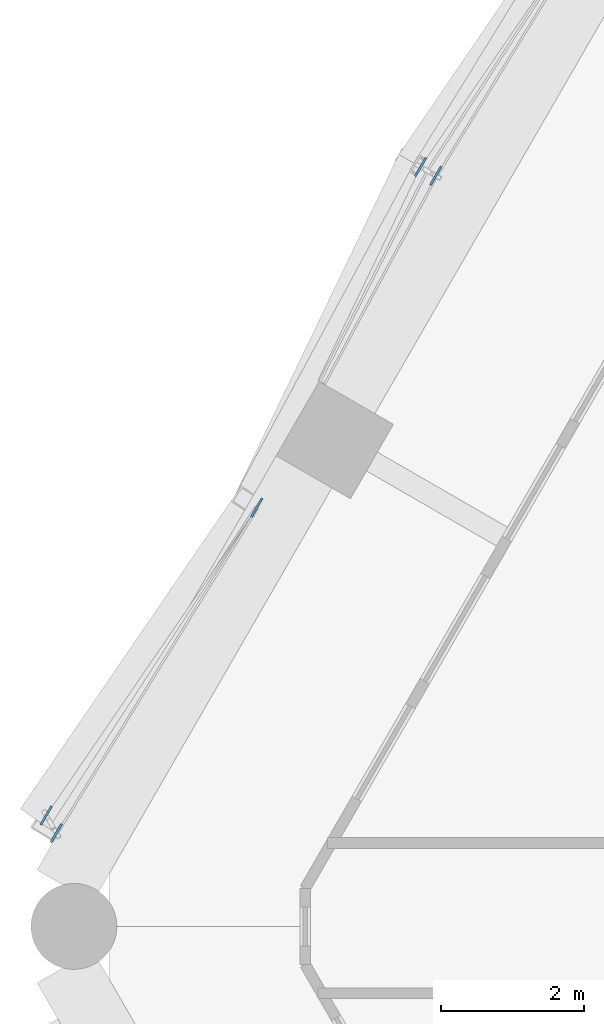
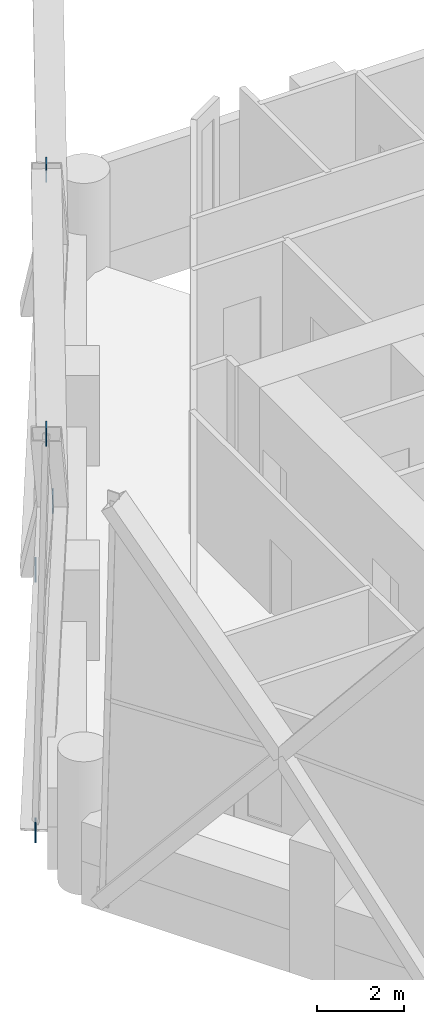
# One storey, part 18 of 21: 5 discrete accessories.
"""IFC4 building model written with IfcOpenShell, lengths in metres."""

from ifc_helpers import new_model, si_unit, direction, frame, origin, origin_2d, place, context, subcontext, project, spatial, rectangle, extrude, material, layer, layer_set, type_object, element, save


model = new_model("IFC4")

# Units and contexts
model_context = context("Model", 3, precision=1e-05, world=origin(), true_north=direction((0.0, 1.0)))
body_context = subcontext(model_context, "Body", "Model", "MODEL_VIEW")
ifc_project = project(units=[si_unit("LENGTHUNIT", "METRE"), si_unit("AREAUNIT", "SQUARE_METRE"), si_unit("VOLUMEUNIT", "CUBIC_METRE"), si_unit("PLANEANGLEUNIT", "RADIAN"), si_unit("MASSUNIT", "GRAM", prefix="KILO")], contexts=[model_context])

# Site, building, storey
site_placement = place(None, origin())
site = spatial("IfcSite", under=ifc_project, at=site_placement, CompositionType="ELEMENT")
building_placement = place(site_placement, origin())
building = spatial("IfcBuilding", under=site, at=building_placement, Name="Ostrander Bayou Hotel Tower", CompositionType="ELEMENT")
storey_placement = place(building_placement, frame((0.0, 0.0, 116.0)))
storey = spatial("IfcBuildingStorey", under=building, at=storey_placement, Name="L28", CompositionType="ELEMENT", Elevation=116.0)

# Discrete accessories
ifc_material = material(Name="Steel ASTM A572 Gr 50", Category="steel")
ifc_layer = layer(ifc_material, 0.030029296875)
ifc_layer_set = layer_set([ifc_layer], Name="GP1 gusset plate 30 mm")
discrete_accessory_type = type_object("IfcDiscreteAccessoryType", Name="GP1 gusset plate 30 mm", PredefinedType="BRACKET", material=ifc_layer_set)
for number, where, z_axis, x_axis, name in (
    (1, (-17.23779296875, 9.9521484375, -0.85009765625), (0.0, 0.0, 1.0), (-0.5, -0.866025403784, 0.0), "GP1 gusset plate lat 155"),
    (2, (-17.025146484375, 9.82958984375, 10.39990234375), (0.0, 0.0, 1.0), (-0.5, -0.866025403784, 0.0), "GP1 gusset plate lat 156"),
    (3, (-19.52880859375, 5.18994140625, 4.77490234375), (0.0, 0.0, 1.0), (-0.5, -0.866025403784, 0.0), "GP1 gusset plate lat 157"),
    (4, (-22.47216796875, 0.885986328125, -0.85009765625), (0.0, 0.0, 1.0), (-0.5, -0.866025403784, 0.0), "GP1 gusset plate lat 158"),
    (5, (-22.33056640625, 0.640380859375, 10.39990234375), (0.0, 0.0, 1.0), (-0.5, -0.866025403784, 0.0), "GP1 gusset plate lat 159"),
):
    element("IfcDiscreteAccessory", number, at=place(storey_placement, frame(where, z_axis=z_axis, x_axis=x_axis)), inside=storey, type_object=discrete_accessory_type, Name=name, PredefinedType="BRACKET", context=body_context, shape_type="SweptSolid", body=[
        extrude(rectangle(XDim=0.300048828125, YDim=0.030029296875, at=origin_2d()), origin(), (0.0, 0.0, 1.0), 0.5),
    ])

save(model, "model.ifc")
